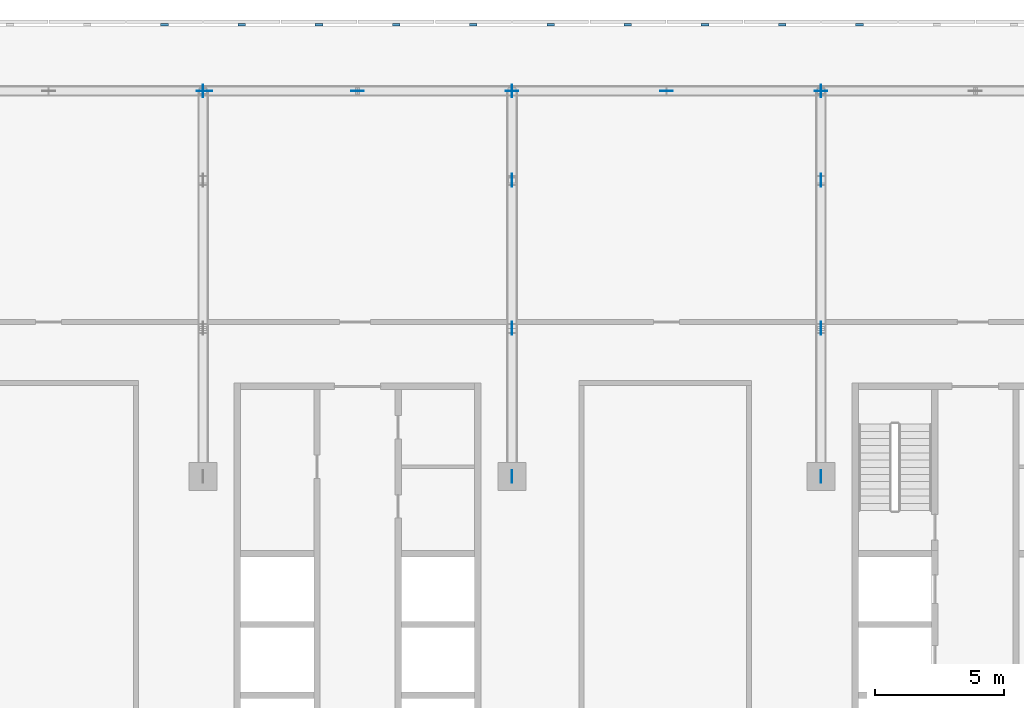
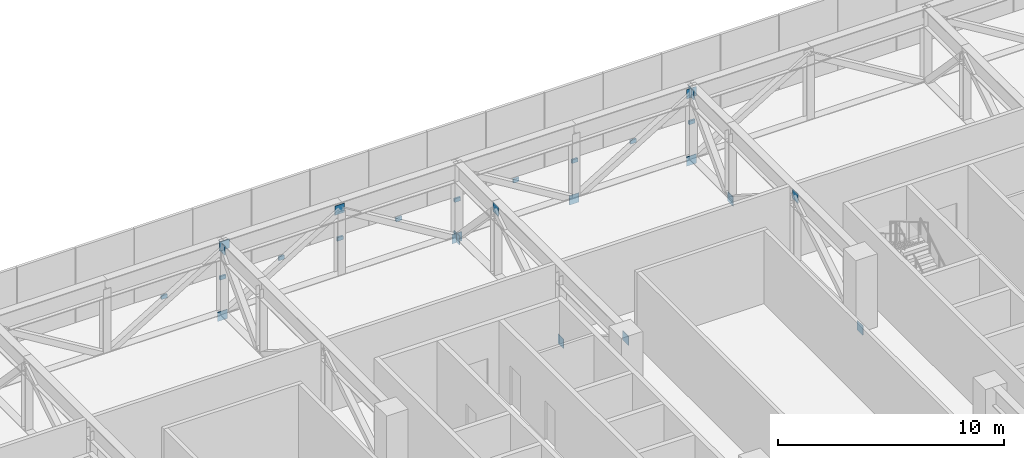
# One storey, part 20 of 28: 26 discrete accessories.
"""IFC4 building model written with IfcOpenShell, lengths in metres."""

from ifc_helpers import new_model, si_unit, direction, frame, origin, origin_2d, place, context, subcontext, project, spatial, rectangle, extrude, material, layer, layer_set, type_object, element, save


model = new_model("IFC4")

# Units and contexts
model_context = context("Model", 3, precision=1e-05, world=origin(), true_north=direction((0.0, 1.0)))
body_context = subcontext(model_context, "Body", "Model", "MODEL_VIEW")
ifc_project = project(units=[si_unit("LENGTHUNIT", "METRE"), si_unit("AREAUNIT", "SQUARE_METRE"), si_unit("VOLUMEUNIT", "CUBIC_METRE"), si_unit("PLANEANGLEUNIT", "RADIAN"), si_unit("MASSUNIT", "GRAM", prefix="KILO")], contexts=[model_context])

# Site, building, storey
site_placement = place(None, origin())
site = spatial("IfcSite", under=ifc_project, at=site_placement, CompositionType="ELEMENT")
building_placement = place(site_placement, origin())
building = spatial("IfcBuilding", under=site, at=building_placement, Name="Mahtab Terrace Research Tower", CompositionType="ELEMENT")
storey_placement = place(building_placement, frame((0.0, 0.0, 224.300048828125)))
storey = spatial("IfcBuildingStorey", under=building, at=storey_placement, Name="L54", CompositionType="ELEMENT", Elevation=224.300048828125)

# Discrete accessories
ifc_material_1 = material(Name="Black anodised aluminium", Category="aluminium")
discrete_accessory_type_1 = type_object("IfcDiscreteAccessoryType", Name="Facade bracket", PredefinedType="BRACKET", material=ifc_material_1)
for number, where, z_axis, x_axis, name in (
    (1, (19.5, 29.044921875, -0.2998046875), (0.0, 0.0, 1.0), (-1.0, 0.0, 0.0), "Louvre bracket L54 16"),
    (2, (16.5, 29.044921875, -0.2998046875), (0.0, 0.0, 1.0), (-1.0, 0.0, 0.0), "Louvre bracket L54 17"),
    (3, (13.5, 29.044921875, -0.2998046875), (0.0, 0.0, 1.0), (-1.0, 0.0, 0.0), "Louvre bracket L54 18"),
    (4, (10.5, 29.044921875, -0.2998046875), (0.0, 0.0, 1.0), (-1.0, 0.0, 0.0), "Louvre bracket L54 19"),
    (5, (7.5, 29.044921875, -0.2998046875), (0.0, 0.0, 1.0), (-1.0, 0.0, 0.0), "Louvre bracket L54 20"),
    (6, (4.5, 29.044921875, -0.2998046875), (0.0, 0.0, 1.0), (-1.0, 0.0, 0.0), "Louvre bracket L54 21"),
    (7, (1.5, 29.044921875, -0.2998046875), (0.0, 0.0, 1.0), (-1.0, 0.0, 0.0), "Louvre bracket L54 22"),
    (8, (-1.5, 29.044921875, -0.2998046875), (0.0, 0.0, 1.0), (-1.0, 0.0, 0.0), "Louvre bracket L54 23"),
    (9, (-4.5, 29.044921875, -0.2998046875), (0.0, 0.0, 1.0), (-1.0, 0.0, 0.0), "Louvre bracket L54 24"),
    (10, (-7.5, 29.044921875, -0.2998046875), (0.0, 0.0, 1.0), (-1.0, 0.0, 0.0), "Louvre bracket L54 25"),
):
    element("IfcDiscreteAccessory", number, at=place(storey_placement, frame(where, z_axis=z_axis, x_axis=x_axis)), inside=storey, type_object=discrete_accessory_type_1, Name=name, PredefinedType="BRACKET", context=body_context, shape_type="SweptSolid", body=[
        extrude(rectangle(XDim=0.300048828125, YDim=0.090087890625, at=origin_2d()), origin(), (0.0, 0.0, 1.0), 0.199951171875),
    ])
ifc_material_2 = material(Name="Steel ASTM A992 Gr 50", Category="steel")
ifc_layer = layer(ifc_material_2, 0.030029296875)
ifc_layer_set = layer_set([ifc_layer], Name="Gusset plate 500x500x30")
discrete_accessory_type_2 = type_object("IfcDiscreteAccessoryType", Name="Gusset plate 500x500x30", PredefinedType="USERDEFINED", material=ifc_layer_set)
for number, where, z_axis, x_axis, name in (
    (11, (-6.0, 26.472900390625, -0.43798828125), (0.0, 0.0, 1.0), (1.0, 0.0, 0.0), "Gusset plate"),
    (12, (-5.900390625, 26.472900390625, 3.339599609375), (0.0, 0.0, 1.0), (1.0, 0.0, 0.0), "Gusset plate"),
    (13, (0.0, 26.472900390625, 3.20947265625), (0.0, 0.0, 1.0), (1.0, 0.0, 0.0), "Gusset plate"),
    (14, (6.0, 26.472900390625, -0.43798828125), (0.0, 0.0, 1.0), (1.0, 0.0, 0.0), "Gusset plate"),
    (15, (12.0, 26.472900390625, -0.43798828125), (0.0, 0.0, 1.0), (1.0, 0.0, 0.0), "Gusset plate"),
    (16, (18.0, 26.472900390625, -0.43798828125), (0.0, 0.0, 1.0), (1.0, 0.0, 0.0), "Gusset plate"),
    (17, (18.0, 26.472900390625, 3.20947265625), (0.0, 0.0, 1.0), (1.0, 0.0, 0.0), "Gusset plate"),
    (18, (-6.0, 26.472900390625, 3.20947265625), (0.0, 0.0, 1.0), (0.0, 1.0, 0.0), "Gusset plate"),
    (19, (6.0, 11.5, 3.20947265625), (0.0, 0.0, 1.0), (0.0, 1.0, 0.0), "Gusset plate"),
    (20, (6.0, 17.25, -0.43798828125), (0.0, 0.0, 1.0), (0.0, 1.0, 0.0), "Gusset plate"),
    (21, (6.0, 23.0, 3.20947265625), (0.0, 0.0, 1.0), (0.0, 1.0, 0.0), "Gusset plate"),
    (22, (6.0, 26.472900390625, -0.43798828125), (0.0, 0.0, 1.0), (0.0, 1.0, 0.0), "Gusset plate"),
    (23, (18.0, 11.5, -0.43798828125), (0.0, 0.0, 1.0), (0.0, 1.0, 0.0), "Gusset plate"),
    (24, (18.0, 17.25, 3.20947265625), (0.0, 0.0, 1.0), (0.0, 1.0, 0.0), "Gusset plate"),
    (25, (18.0, 23.0, -0.43798828125), (0.0, 0.0, 1.0), (0.0, 1.0, 0.0), "Gusset plate"),
    (26, (18.0, 26.472900390625, 3.20947265625), (0.0, 0.0, 1.0), (0.0, 1.0, 0.0), "Gusset plate"),
):
    element("IfcDiscreteAccessory", number, at=place(storey_placement, frame(where, z_axis=z_axis, x_axis=x_axis)), inside=storey, type_object=discrete_accessory_type_2, Name=name, ObjectType="GUSSET PLATE", PredefinedType="USERDEFINED", context=body_context, shape_type="SweptSolid", body=[
        extrude(rectangle(XDim=0.5, YDim=0.030029296875, at=origin_2d()), origin(), (0.0, 0.0, 1.0), 0.5),
    ])

save(model, "model.ifc")
